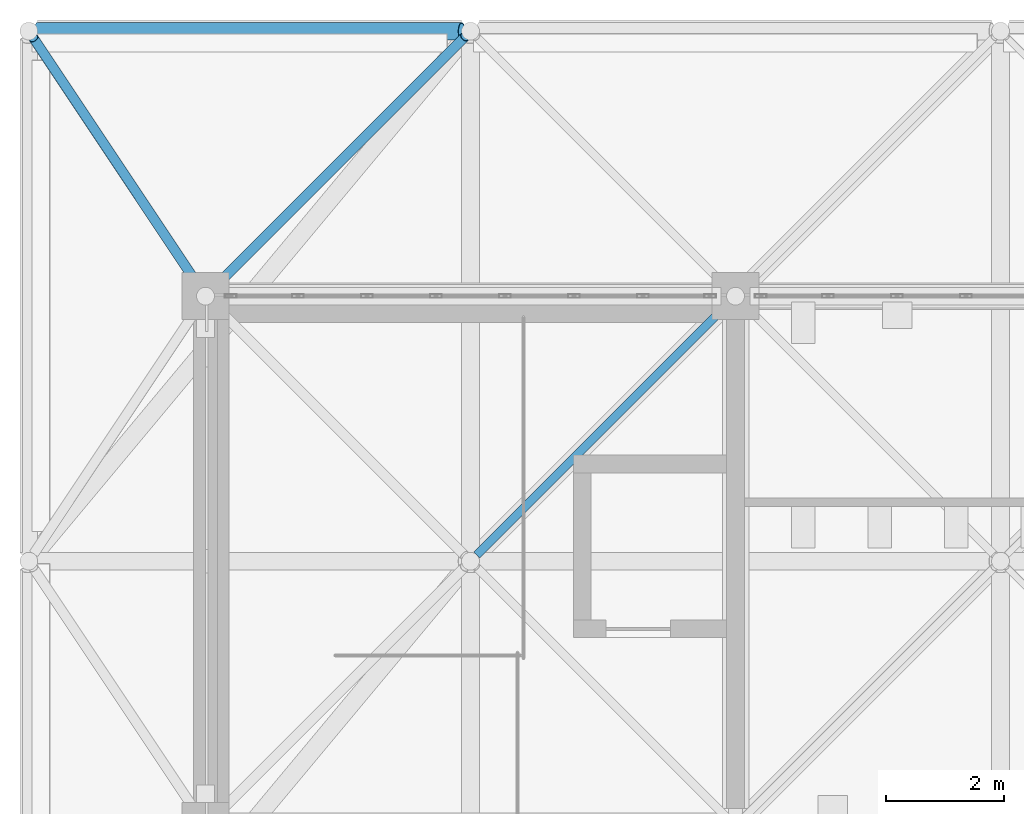
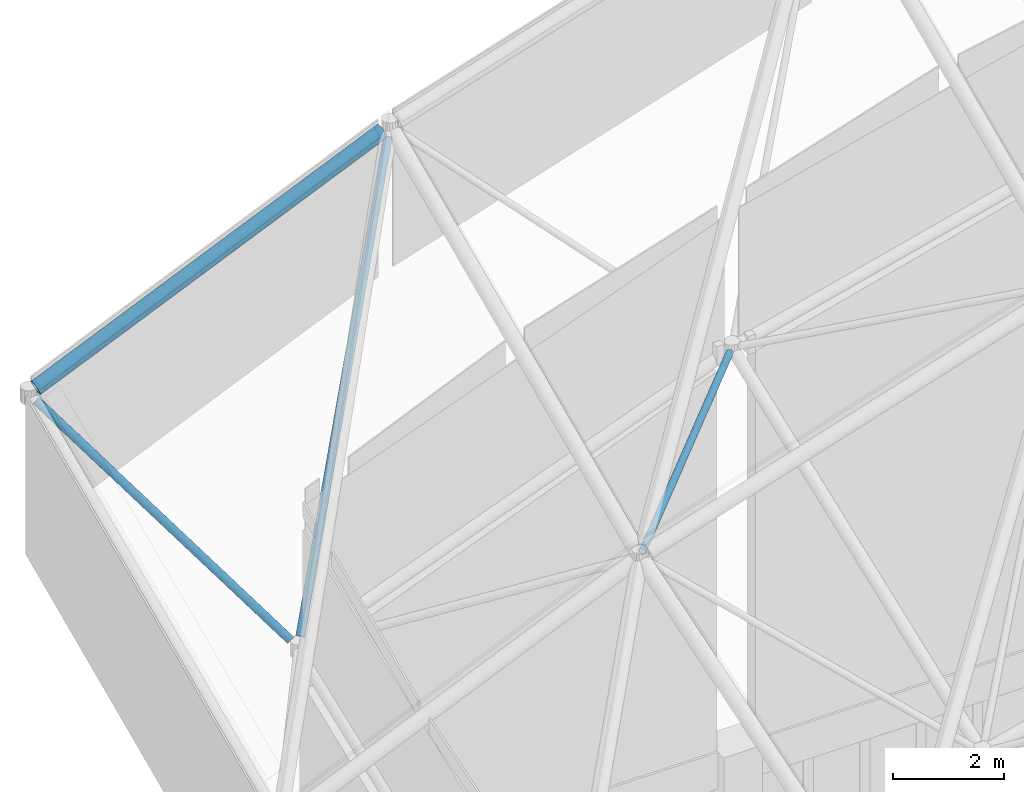
# One storey, part 106 of 437: 4 members.
"""IFC4 building model written with IfcOpenShell, lengths in metres."""

from ifc_helpers import new_model, si_unit, direction, frame, origin, origin_2d, place, context, subcontext, project, spatial, hollow_circle, extrude, material, material_profile, profile_set, type_object, element, save


model = new_model("IFC4")

# Units and contexts
model_context = context("Model", 3, precision=1e-05, world=origin(), true_north=direction((0.0, 1.0)))
body_context = subcontext(model_context, "Body", "Model", "MODEL_VIEW")
ifc_project = project(units=[si_unit("LENGTHUNIT", "METRE"), si_unit("AREAUNIT", "SQUARE_METRE"), si_unit("VOLUMEUNIT", "CUBIC_METRE"), si_unit("PLANEANGLEUNIT", "RADIAN"), si_unit("MASSUNIT", "GRAM", prefix="KILO")], contexts=[model_context])

# Site, building, storey
site_placement = place(None, origin())
site = spatial("IfcSite", under=ifc_project, at=site_placement, CompositionType="ELEMENT")
building_placement = place(site_placement, origin())
building = spatial("IfcBuilding", under=site, at=building_placement, Name="Opaline Strait Convention Centre", CompositionType="ELEMENT")
storey_placement = place(building_placement, frame((0.0, 0.0, 11.5)))
storey = spatial("IfcBuildingStorey", under=building, at=storey_placement, Name="L02", CompositionType="ELEMENT", Elevation=11.5)

# Members
ifc_material = material(Name="Steel Q355B", Category="steel")
ifc_material_profile_1 = material_profile(ifc_material, hollow_circle(Radius=0.1494140625, WallThickness=0.01611328125, at=origin_2d()), Name="CHS 299x16")
ifc_profile_set_1 = profile_set([ifc_material_profile_1], Name="Steel Q355B")
member_type_1 = type_object("IfcMemberType", Name="Shell truss top chord CHS 299x16", PredefinedType="CHORD", material=ifc_profile_set_1)
member_1_placement = place(storey_placement, frame((6.14990234375, 184.5, 14.656005859375), z_axis=(0.917383800951, 0.0, 0.398003720777), x_axis=(0.0, 1.0, 0.0)))
element("IfcMember", 1, at=member_1_placement, inside=storey, type_object=member_type_1, Name="PTC1 top chord X1-9", PredefinedType="CHORD", context=body_context, shape_type="SweptSolid", body=[
    extrude(hollow_circle(Radius=0.1494140625, WallThickness=0.01611328125, at=origin_2d()), origin(), (0.0, 0.0, 1.0), 7.8486328125),
])
ifc_material_profile_2 = material_profile(ifc_material, hollow_circle(Radius=0.070068359375, WallThickness=0.008056640625, at=origin_2d()), Name="CHS 140x8")
ifc_profile_set_2 = profile_set([ifc_material_profile_2], Name="Steel Q355B")
member_type_2 = type_object("IfcMemberType", Name="Shell truss web CHS 140x8", PredefinedType="BRACE", material=ifc_profile_set_2)
member_2_placement = place(storey_placement, frame((17.893798828125, 179.893798828125, 14.116943359375), z_axis=(-0.706430522614, -0.706430522614, -0.043724517599), x_axis=(0.707106781187, -0.707106781187, 0.0)))
element("IfcMember", 2, at=member_2_placement, inside=storey, type_object=member_type_2, Name="PWB2 web 2-8ac", PredefinedType="BRACE", context=body_context, shape_type="SweptSolid", body=[
    extrude(hollow_circle(Radius=0.070068359375, WallThickness=0.008056640625, at=origin_2d()), origin(), (0.0, 0.0, 1.0), 6.0693359375),
])
ifc_material_profile_3 = material_profile(ifc_material, hollow_circle(Radius=0.083984375, WallThickness=0.010009765625, at=origin_2d()), Name="CHS 168x10")
ifc_profile_set_3 = profile_set([ifc_material_profile_3], Name="Steel Q355B")
member_type_3 = type_object("IfcMemberType", Name="Shell truss web CHS 168x10", PredefinedType="BRACE", material=ifc_profile_set_3)
member_3_placement = place(storey_placement, frame((8.916748046875, 180.124755859375, 10.802978515625), z_axis=(-0.450060474119, 0.675129489438, 0.584504698122), x_axis=(-0.832064999387, -0.554678138018, 0.0)))
element("IfcMember", 3, at=member_3_placement, inside=storey, type_object=member_type_3, Name="PWB1 web 1-8ad", PredefinedType="BRACE", context=body_context, shape_type="SweptSolid", body=[
    extrude(hollow_circle(Radius=0.083984375, WallThickness=0.010009765625, at=origin_2d()), origin(), (0.0, 0.0, 1.0), 6.2958984375),
])
member_4_placement = place(storey_placement, frame((9.094482421875, 180.094482421875, 10.844970703125), z_axis=(0.470109852598, 0.470109852598, 0.746989593623), x_axis=(-0.707106781187, 0.707106781187, 0.0)))
element("IfcMember", 4, at=member_4_placement, inside=storey, type_object=member_type_3, Name="PWB1 web 1-8bd", PredefinedType="BRACE", context=body_context, shape_type="SweptSolid", body=[
    extrude(hollow_circle(Radius=0.083984375, WallThickness=0.010009765625, at=origin_2d()), origin(), (0.0, 0.0, 1.0), 9.170166015625),
])

save(model, "model.ifc")
